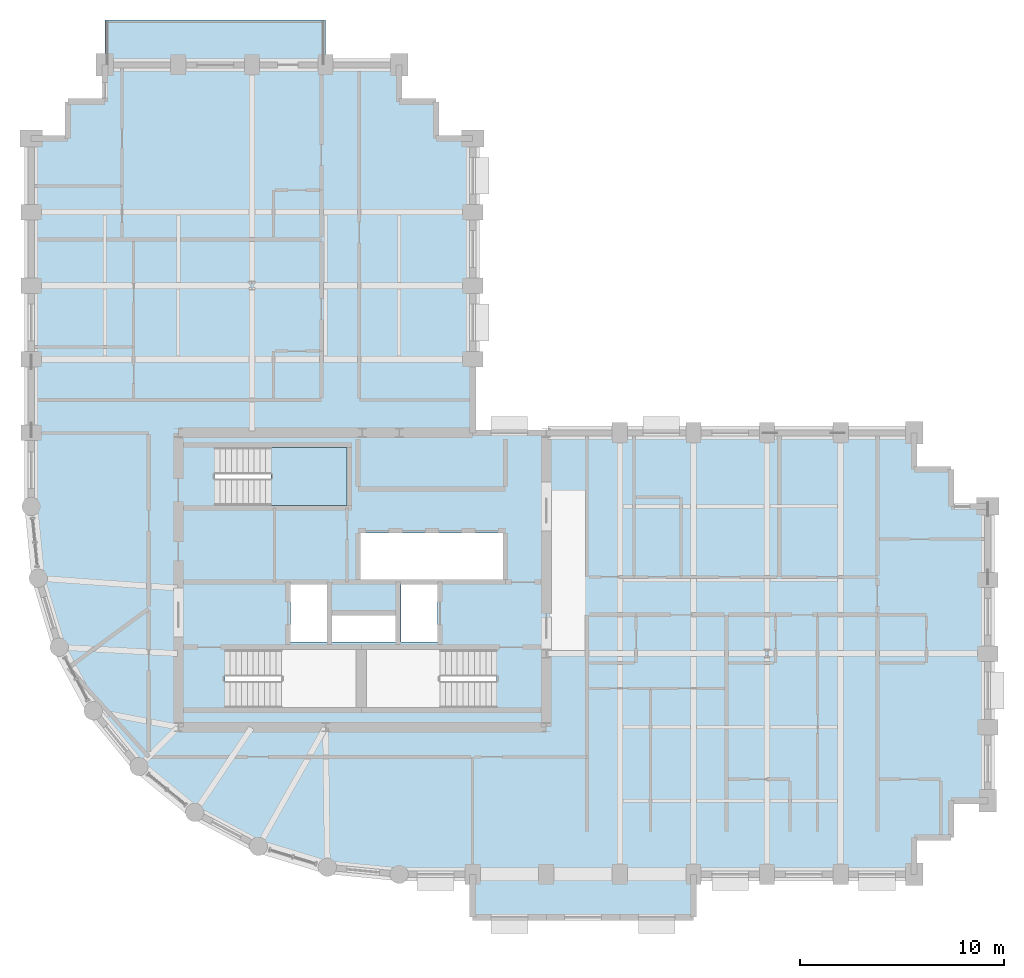
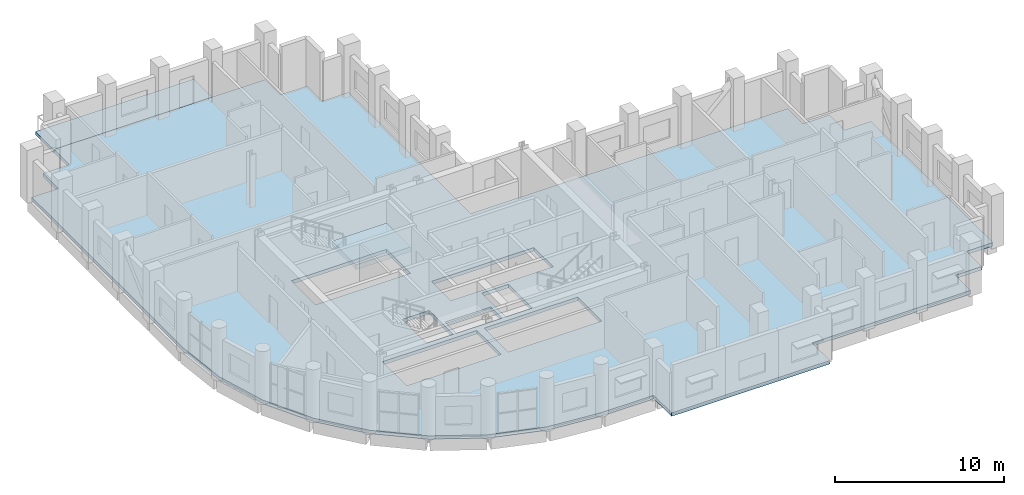
# One storey, part 6 of 14: 3 slabs, 1 element without a shape of its own.
"""IFC4 building model written with IfcOpenShell, lengths in metres."""

from ifc_helpers import new_model, si_unit, direction, frame, origin, place, context, subcontext, project, spatial, polyline, outline, extrude, material, layer, layer_set, type_object, element, aggregate, save


model = new_model("IFC4")

# Units and contexts
model_context = context("Model", 3, precision=1e-05, world=origin(), true_north=direction((0.0, 1.0)))
body_context = subcontext(model_context, "Body", "Model", "MODEL_VIEW")
ifc_project = project(units=[si_unit("LENGTHUNIT", "METRE"), si_unit("AREAUNIT", "SQUARE_METRE"), si_unit("VOLUMEUNIT", "CUBIC_METRE"), si_unit("PLANEANGLEUNIT", "RADIAN"), si_unit("MASSUNIT", "GRAM", prefix="KILO")], contexts=[model_context])

# Site, building, storey
site_placement = place(None, origin())
site = spatial("IfcSite", under=ifc_project, at=site_placement, CompositionType="ELEMENT")
building_placement = place(site_placement, origin())
building = spatial("IfcBuilding", under=site, at=building_placement, Name="Solnavia Interchange Tower", CompositionType="ELEMENT")
storey_placement = place(building_placement, frame((0.0, 0.0, 135.199951171875)))
storey = spatial("IfcBuildingStorey", under=building, at=storey_placement, Name="L33", CompositionType="ELEMENT", Elevation=135.199951171875)

# Stair, slab
ifc_material = material(Name="Concrete C40/50", Category="concrete")
stair_type = type_object("IfcStairType", Name="Stair-Dogleg-RC", PredefinedType="HALF_TURN_STAIR", material=ifc_material)
stair_placement = place(storey_placement, origin())
stair = element("IfcStair", 1, at=stair_placement, inside=storey, type_object=stair_type, Name="L33 Core exit stair 3", PredefinedType="HALF_TURN_STAIR")
ifc_layer_1 = layer(ifc_material, 0.35009765625)
ifc_layer_set_1 = layer_set([ifc_layer_1], Name="Concrete C40/50")
slab_type_1 = type_object("IfcSlabType", Name="Slab-StairLanding-350", PredefinedType="LANDING", material=ifc_layer_set_1)
slab_1_placement = place(storey_placement, frame((0.0, 0.0, 1.550048828125)))
slab_1 = element("IfcSlab", 2, at=slab_1_placement, type_object=slab_type_1, Name="ST-3 landing 1", PredefinedType="LANDING", context=body_context, shape_type="SweptSolid", body=[
    extrude(outline(polyline([(18.927978515625, 21.64990234375), (22.64990234375, 21.64990234375), (22.64990234375, 24.489990234375), (18.927978515625, 24.489990234375), (18.927978515625, 21.64990234375)])), origin(), (0.0, 0.0, 1.0), 0.35009765625),
])
aggregate(stair, [slab_1])

# Slabs
ifc_layer_2 = layer(ifc_material, 0.219970703125)
ifc_layer_set_2 = layer_set([ifc_layer_2], Name="Concrete C40/50")
slab_type_2 = type_object("IfcSlabType", Name="Slab-Terrace-220", PredefinedType="FLOOR", material=ifc_layer_set_2)
slab_2_placement = place(storey_placement, frame((0.0, 0.0, -0.260009765625)))
element("IfcSlab", 3, at=slab_2_placement, inside=storey, type_object=slab_type_2, Name="TER-L33-01 Outdoor spiral terrace slab", PredefinedType="FLOOR", context=body_context, shape_type="SweptSolid", body=[
    extrude(outline(polyline([(10.800048828125, 43.199951171875), (21.60009765625, 43.199951171875), (21.60009765625, 45.39990234375), (10.800048828125, 45.39990234375), (10.800048828125, 43.199951171875)])), origin(), (0.0, 0.0, 1.0), 0.219970703125),
])
ifc_layer_3 = layer(ifc_material, 0.25)
ifc_layer_set_3 = layer_set([ifc_layer_3], Name="Concrete C40/50")
slab_type_3 = type_object("IfcSlabType", Name="Slab-Tower-250", PredefinedType="FLOOR", material=ifc_layer_set_3)
slab_3_placement = place(storey_placement, frame((0.0, 0.0, -0.25)))
element("IfcSlab", 4, at=slab_3_placement, inside=storey, type_object=slab_type_3, Name="SLB-L33-01 Structural floor slab", PredefinedType="FLOOR", context=body_context, shape_type="SweptSolid", body=[
    extrude(outline(polyline([(25.199951171875, 3.60009765625), (28.800048828125, 3.60009765625), (28.800048828125, 1.5), (39.60009765625, 1.5), (39.60009765625, 3.60009765625), (50.39990234375, 3.60009765625), (50.39990234375, 5.39990234375), (52.199951171875, 5.39990234375), (52.199951171875, 7.199951171875), (54.0, 7.199951171875), (54.0, 21.60009765625), (52.199951171875, 21.60009765625), (52.199951171875, 23.39990234375), (50.39990234375, 23.39990234375), (50.39990234375, 25.199951171875), (28.800048828125, 25.199951171875), (28.800048828125, 39.60009765625), (27.0, 39.60009765625), (27.0, 41.39990234375), (25.199951171875, 41.39990234375), (25.199951171875, 43.199951171875), (10.800048828125, 43.199951171875), (10.800048828125, 41.39990234375), (9.0, 41.39990234375), (9.0, 39.60009765625), (7.199951171875, 39.60009765625), (7.199951171875, 21.60009765625), (7.5458984375, 18.087890625), (8.570068359375, 14.7119140625), (10.23388671875, 11.60009765625), (12.471923828125, 8.8720703125), (15.199951171875, 6.634033203125), (18.31201171875, 4.969970703125), (21.68798828125, 3.946044921875), (25.199951171875, 3.60009765625)]), holes=[polyline([(16.675048828125, 11.75), (23.10009765625, 11.75), (23.10009765625, 14.590087890625), (16.675048828125, 14.590087890625), (16.675048828125, 11.75)]), polyline([(23.60009765625, 11.75), (29.97509765625, 11.75), (29.97509765625, 14.590087890625), (23.60009765625, 14.590087890625), (23.60009765625, 11.75)]), polyline([(16.175048828125, 21.64990234375), (22.64990234375, 21.64990234375), (22.64990234375, 24.489990234375), (16.175048828125, 24.489990234375), (16.175048828125, 21.64990234375)]), polyline([(19.8798828125, 14.9599609375), (21.679931640625, 14.9599609375), (21.679931640625, 17.780029296875), (19.8798828125, 17.780029296875), (19.8798828125, 14.9599609375)]), polyline([(25.280029296875, 14.9599609375), (27.080078125, 14.9599609375), (27.080078125, 17.780029296875), (25.280029296875, 17.780029296875), (25.280029296875, 14.9599609375)]), polyline([(21.919921875, 14.9599609375), (25.02001953125, 14.9599609375), (25.02001953125, 16.280029296875), (21.919921875, 16.280029296875), (21.919921875, 14.9599609375)]), polyline([(23.300048828125, 18.02001953125), (30.280029296875, 18.02001953125), (30.280029296875, 20.300048828125), (23.300048828125, 20.300048828125), (23.300048828125, 18.02001953125)])]), origin(), (0.0, 0.0, 1.0), 0.25),
])

save(model, "model.ifc")
